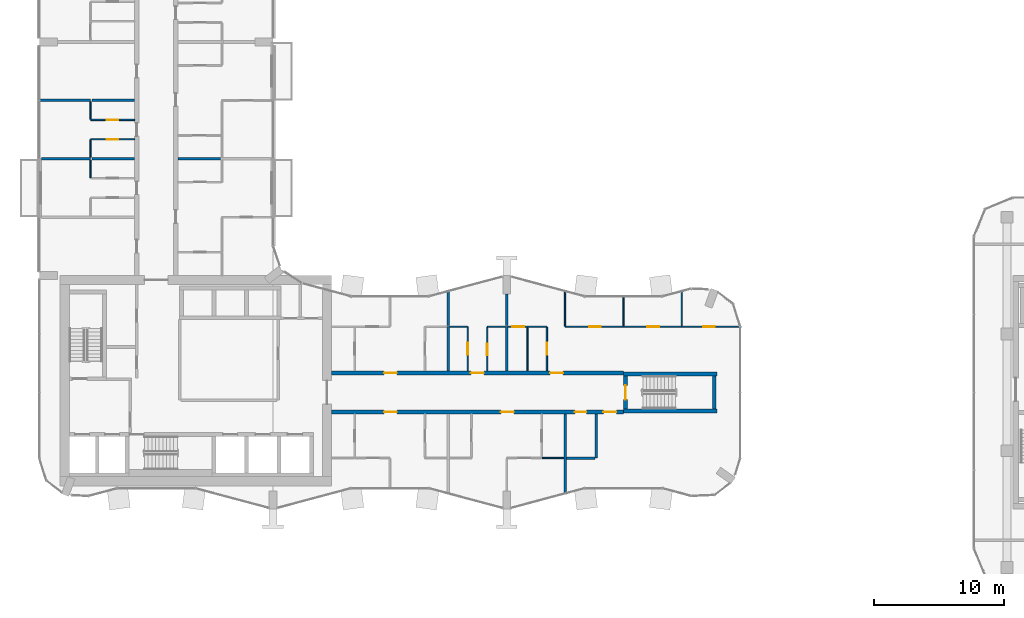
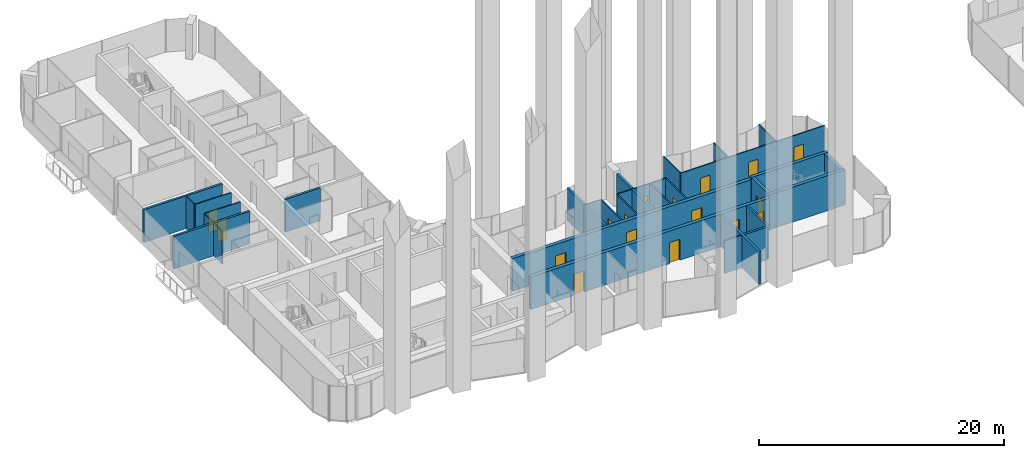
# One storey, part 15 of 27: 35 walls, 17 doors, 17 openings.
"""IFC4 building model written with IfcOpenShell, lengths in metres."""

from ifc_helpers import new_model, si_unit, direction, frame, frame_2d, origin, place, context, subcontext, project, spatial, rectangle, extrude, material, layer, layer_set, type_object, element, fill, save


model = new_model("IFC4")

# Units and contexts
model_context = context("Model", 3, precision=1e-05, world=origin(), true_north=direction((0.0, 1.0)))
body_context = subcontext(model_context, "Body", "Model", "MODEL_VIEW")
ifc_project = project(units=[si_unit("LENGTHUNIT", "METRE"), si_unit("AREAUNIT", "SQUARE_METRE"), si_unit("VOLUMEUNIT", "CUBIC_METRE"), si_unit("PLANEANGLEUNIT", "RADIAN"), si_unit("MASSUNIT", "GRAM", prefix="KILO")], contexts=[model_context])

# Site, building, storey
site_placement = place(None, origin())
site = spatial("IfcSite", under=ifc_project, at=site_placement, CompositionType="ELEMENT")
building_placement = place(site_placement, origin())
building = spatial("IfcBuilding", under=site, at=building_placement, Name="Plateau Cross Towers", CompositionType="ELEMENT")
storey_placement = place(building_placement, frame((0.0, 0.0, 78.300048828125)))
storey = spatial("IfcBuildingStorey", under=building, at=storey_placement, Name="L19", CompositionType="ELEMENT", Elevation=78.300048828125)

# Wall, openings, doors
ifc_material_1 = material(Name="Concrete C60/75", Category="concrete")
ifc_layer_1 = layer(ifc_material_1, 0.324951171875)
ifc_layer_set_1 = layer_set([ifc_layer_1], Name="Concrete C60/75")
wall_type_1 = type_object("IfcWallType", Name="Corridor wall 325", PredefinedType="SHEAR", material=ifc_layer_set_1)
wall_1_placement = place(storey_placement, frame((22.5, 7.5, 0.0), z_axis=(0.0, 0.0, 1.0), x_axis=(1.0, 0.0, 0.0)))
wall_1 = element("IfcWall", 1, at=wall_1_placement, inside=storey, type_object=wall_type_1, Name="A-cw-S1@L19", PredefinedType="SHEAR", context=body_context, shape_type="SweptSolid", body=[
    extrude(rectangle(XDim=22.5, YDim=0.324951171875, at=frame_2d((11.25, 0.0))), origin(), (0.0, 0.0, 1.0), 3.25),
])
opening_1_placement = place(wall_1_placement, frame((4.050048828125, 0.0, 0.0)))
opening_1 = element("IfcOpeningElement", 2, at=opening_1_placement, cuts=wall_1, Name="Opening 19-01", PredefinedType="OPENING", context=body_context, shape_type="SweptSolid", body=[
    extrude(rectangle(XDim=1.0, YDim=2.10009765625, at=frame_2d((0.5, 1.050048828125))), frame((0.0, 0.17236328125, 0.0), z_axis=(0.0, -1.0, 0.0), x_axis=(1.0, 0.0, 0.0)), (0.0, 0.0, 1.0), 0.344970703125),
])
opening_2_placement = place(wall_1_placement, frame((13.050048828125, 0.0, 0.0)))
opening_2 = element("IfcOpeningElement", 3, at=opening_2_placement, cuts=wall_1, Name="Opening 19-02", PredefinedType="OPENING", context=body_context, shape_type="SweptSolid", body=[
    extrude(rectangle(XDim=1.0, YDim=2.10009765625, at=frame_2d((0.5, 1.050048828125))), frame((0.0, 0.17236328125, 0.0), z_axis=(0.0, -1.0, 0.0), x_axis=(1.0, 0.0, 0.0)), (0.0, 0.0, 1.0), 0.344970703125),
])
opening_3_placement = place(wall_1_placement, frame((18.75, 0.0, 0.0)))
opening_3 = element("IfcOpeningElement", 4, at=opening_3_placement, cuts=wall_1, Name="Opening 19-03", PredefinedType="OPENING", context=body_context, shape_type="SweptSolid", body=[
    extrude(rectangle(XDim=0.89990234375, YDim=2.10009765625, at=frame_2d((0.449951171875, 1.050048828125))), frame((0.0, 0.17236328125, 0.0), z_axis=(0.0, -1.0, 0.0), x_axis=(1.0, 0.0, 0.0)), (0.0, 0.0, 1.0), 0.344970703125),
])
opening_4_placement = place(wall_1_placement, frame((20.949951171875, 0.0, 0.0)))
opening_4 = element("IfcOpeningElement", 5, at=opening_4_placement, cuts=wall_1, Name="Opening 19-04", PredefinedType="OPENING", context=body_context, shape_type="SweptSolid", body=[
    extrude(rectangle(XDim=1.0, YDim=2.10009765625, at=frame_2d((0.5, 1.050048828125))), frame((0.0, 0.17236328125, 0.0), z_axis=(0.0, -1.0, 0.0), x_axis=(1.0, 0.0, 0.0)), (0.0, 0.0, 1.0), 0.344970703125),
])
ifc_material_2 = material(Name="Timber, fire-resisting leaf", Category="wood")
door_type_1 = type_object("IfcDoorType", Name="Flat entrance door 1000", OperationType="NOTDEFINED", PredefinedType="DOOR", material=ifc_material_2)
door_1_placement = place(opening_1_placement, origin())
door_1 = element("IfcDoor", 6, at=door_1_placement, inside=storey, type_object=door_type_1, Name="Door 19-01", OperationType="SINGLE_SWING_LEFT", OverallHeight=2.10009765625, OverallWidth=1.0, PredefinedType="DOOR", context=body_context, shape_type="SweptSolid", body=[
    extrude(rectangle(XDim=1.0, YDim=2.10009765625, at=frame_2d((0.5, 1.050048828125))), frame((0.0, 0.02490234375, 0.0), z_axis=(0.0, -1.0, 0.0), x_axis=(1.0, 0.0, 0.0)), (0.0, 0.0, 1.0), 0.050048828125),
])
fill(opening_1, door_1)
door_2_placement = place(opening_2_placement, origin())
door_2 = element("IfcDoor", 7, at=door_2_placement, inside=storey, type_object=door_type_1, Name="Door 19-02", OperationType="SINGLE_SWING_RIGHT", OverallHeight=2.10009765625, OverallWidth=1.0, PredefinedType="DOOR", context=body_context, shape_type="SweptSolid", body=[
    extrude(rectangle(XDim=1.0, YDim=2.10009765625, at=frame_2d((0.5, 1.050048828125))), frame((0.0, 0.02490234375, 0.0), z_axis=(0.0, -1.0, 0.0), x_axis=(1.0, 0.0, 0.0)), (0.0, 0.0, 1.0), 0.050048828125),
])
fill(opening_2, door_2)
door_3_placement = place(opening_4_placement, origin())
door_3 = element("IfcDoor", 8, at=door_3_placement, inside=storey, type_object=door_type_1, Name="Door 19-04", OperationType="SINGLE_SWING_RIGHT", OverallHeight=2.10009765625, OverallWidth=1.0, PredefinedType="DOOR", context=body_context, shape_type="SweptSolid", body=[
    extrude(rectangle(XDim=1.0, YDim=2.10009765625, at=frame_2d((0.5, 1.050048828125))), frame((0.0, 0.02490234375, 0.0), z_axis=(0.0, -1.0, 0.0), x_axis=(1.0, 0.0, 0.0)), (0.0, 0.0, 1.0), 0.050048828125),
])
fill(opening_4, door_3)
door_type_2 = type_object("IfcDoorType", Name="Flat floor service door 900", OperationType="NOTDEFINED", PredefinedType="DOOR", material=ifc_material_2)
door_4_placement = place(opening_3_placement, origin())
door_4 = element("IfcDoor", 9, at=door_4_placement, inside=storey, type_object=door_type_2, Name="Door 19-03", OperationType="SINGLE_SWING_RIGHT", OverallHeight=2.10009765625, OverallWidth=0.89990234375, PredefinedType="DOOR", context=body_context, shape_type="SweptSolid", body=[
    extrude(rectangle(XDim=0.89990234375, YDim=2.10009765625, at=frame_2d((0.449951171875, 1.050048828125))), frame((0.0, 0.02490234375, 0.0), z_axis=(0.0, -1.0, 0.0), x_axis=(1.0, 0.0, 0.0)), (0.0, 0.0, 1.0), 0.050048828125),
])
fill(opening_3, door_4)

wall_2_placement = place(storey_placement, frame((22.5, 10.5, 0.0), z_axis=(0.0, 0.0, 1.0), x_axis=(1.0, 0.0, 0.0)))
wall_2 = element("IfcWall", 10, at=wall_2_placement, inside=storey, type_object=wall_type_1, Name="A-cw-S2@L19", PredefinedType="SHEAR", context=body_context, shape_type="SweptSolid", body=[
    extrude(rectangle(XDim=22.5, YDim=0.324951171875, at=frame_2d((11.25, 0.0))), origin(), (0.0, 0.0, 1.0), 3.25),
])
opening_5_placement = place(wall_2_placement, frame((4.050048828125, 0.0, 0.0)))
opening_5 = element("IfcOpeningElement", 11, at=opening_5_placement, cuts=wall_2, Name="Opening 19-05", PredefinedType="OPENING", context=body_context, shape_type="SweptSolid", body=[
    extrude(rectangle(XDim=1.0, YDim=2.10009765625, at=frame_2d((0.5, 1.050048828125))), frame((0.0, 0.17236328125, 0.0), z_axis=(0.0, -1.0, 0.0), x_axis=(1.0, 0.0, 0.0)), (0.0, 0.0, 1.0), 0.344970703125),
])
opening_6_placement = place(wall_2_placement, frame((10.75, 0.0, 0.0)))
opening_6 = element("IfcOpeningElement", 12, at=opening_6_placement, cuts=wall_2, Name="Opening 19-06", PredefinedType="OPENING", context=body_context, shape_type="SweptSolid", body=[
    extrude(rectangle(XDim=1.0, YDim=2.10009765625, at=frame_2d((0.5, 1.050048828125))), frame((0.0, 0.17236328125, 0.0), z_axis=(0.0, -1.0, 0.0), x_axis=(1.0, 0.0, 0.0)), (0.0, 0.0, 1.0), 0.344970703125),
])
opening_7_placement = place(wall_2_placement, frame((16.85009765625, 0.0, 0.0)))
opening_7 = element("IfcOpeningElement", 13, at=opening_7_placement, cuts=wall_2, Name="Opening 19-07", PredefinedType="OPENING", context=body_context, shape_type="SweptSolid", body=[
    extrude(rectangle(XDim=1.0, YDim=2.10009765625, at=frame_2d((0.5, 1.050048828125))), frame((0.0, 0.17236328125, 0.0), z_axis=(0.0, -1.0, 0.0), x_axis=(1.0, 0.0, 0.0)), (0.0, 0.0, 1.0), 0.344970703125),
])
door_5_placement = place(opening_5_placement, origin())
door_5 = element("IfcDoor", 14, at=door_5_placement, inside=storey, type_object=door_type_1, Name="Door 19-05", OperationType="SINGLE_SWING_LEFT", OverallHeight=2.10009765625, OverallWidth=1.0, PredefinedType="DOOR", context=body_context, shape_type="SweptSolid", body=[
    extrude(rectangle(XDim=1.0, YDim=2.10009765625, at=frame_2d((0.5, 1.050048828125))), frame((0.0, 0.02490234375, 0.0), z_axis=(0.0, -1.0, 0.0), x_axis=(1.0, 0.0, 0.0)), (0.0, 0.0, 1.0), 0.050048828125),
])
fill(opening_5, door_5)
door_6_placement = place(opening_6_placement, origin())
door_6 = element("IfcDoor", 15, at=door_6_placement, inside=storey, type_object=door_type_1, Name="Door 19-06", OperationType="SINGLE_SWING_LEFT", OverallHeight=2.10009765625, OverallWidth=1.0, PredefinedType="DOOR", context=body_context, shape_type="SweptSolid", body=[
    extrude(rectangle(XDim=1.0, YDim=2.10009765625, at=frame_2d((0.5, 1.050048828125))), frame((0.0, 0.02490234375, 0.0), z_axis=(0.0, -1.0, 0.0), x_axis=(1.0, 0.0, 0.0)), (0.0, 0.0, 1.0), 0.050048828125),
])
fill(opening_6, door_6)
door_7_placement = place(opening_7_placement, origin())
door_7 = element("IfcDoor", 16, at=door_7_placement, inside=storey, type_object=door_type_1, Name="Door 19-07", OperationType="SINGLE_SWING_RIGHT", OverallHeight=2.10009765625, OverallWidth=1.0, PredefinedType="DOOR", context=body_context, shape_type="SweptSolid", body=[
    extrude(rectangle(XDim=1.0, YDim=2.10009765625, at=frame_2d((0.5, 1.050048828125))), frame((0.0, 0.02490234375, 0.0), z_axis=(0.0, -1.0, 0.0), x_axis=(1.0, 0.0, 0.0)), (0.0, 0.0, 1.0), 0.050048828125),
])
fill(opening_7, door_7)

# Walls
ifc_material_3 = material(Name="Gypsum board on steel studs", Category="steel")
ifc_layer_2 = layer(ifc_material_3, 0.10009765625)
ifc_layer_set_2 = layer_set([ifc_layer_2], Name="Gypsum board on steel studs")
wall_type_2 = type_object("IfcWallType", Name="Flat partition 100", PredefinedType="PARTITIONING", material=ifc_layer_set_2)
wall_3_placement = place(storey_placement, frame((38.75, 3.9375, 0.0), z_axis=(0.0, 0.0, 1.0), x_axis=(1.0, 0.0, 0.0)))
element("IfcWall", 17, at=wall_3_placement, inside=storey, type_object=wall_type_2, Name="Partition wall", PredefinedType="PARTITIONING", context=body_context, shape_type="SweptSolid", body=[
    extrude(rectangle(XDim=1.64990234375, YDim=0.10009765625, at=frame_2d((0.824951171875, 0.0))), origin(), (0.0, 0.0, 1.0), 3.25),
])
wall_4_placement = place(storey_placement, frame((32.949951171875, 14.0625, 0.0), z_axis=(0.0, 0.0, 1.0), x_axis=(-1.0, 0.0, 0.0)))
element("IfcWall", 18, at=wall_4_placement, inside=storey, type_object=wall_type_2, Name="Partition wall", PredefinedType="PARTITIONING", context=body_context, shape_type="SweptSolid", body=[
    extrude(rectangle(XDim=1.349853515625, YDim=0.10009765625, at=frame_2d((0.6748046875, 0.0))), origin(), (0.0, 0.0, 1.0), 3.25),
])
wall_5_placement = place(storey_placement, frame((35.89990234375, 14.0625, 0.0), z_axis=(0.0, 0.0, 1.0), x_axis=(-1.0, 0.0, 0.0)))
element("IfcWall", 19, at=wall_5_placement, inside=storey, type_object=wall_type_2, Name="Partition wall", PredefinedType="PARTITIONING", context=body_context, shape_type="SweptSolid", body=[
    extrude(rectangle(XDim=1.39990234375, YDim=0.10009765625, at=frame_2d((0.699951171875, 0.0))), origin(), (0.0, 0.0, 1.0), 3.25),
])

# Wall, opening, door
wall_6_placement = place(storey_placement, frame((39.10009765625, 14.0625, 0.0), z_axis=(0.0, 0.0, 1.0), x_axis=(-1.0, 0.0, 0.0)))
wall_6 = element("IfcWall", 20, at=wall_6_placement, inside=storey, type_object=wall_type_2, Name="Partition wall", PredefinedType="PARTITIONING", context=body_context, shape_type="SweptSolid", body=[
    extrude(rectangle(XDim=3.0, YDim=0.10009765625, at=frame_2d((1.5, 0.0))), origin(), (0.0, 0.0, 1.0), 3.25),
])
opening_8_placement = place(wall_6_placement, frame((1.75, 0.0, 0.0)))
opening_8 = element("IfcOpeningElement", 21, at=opening_8_placement, cuts=wall_6, Name="Opening 19-29", PredefinedType="OPENING", context=body_context, shape_type="SweptSolid", body=[
    extrude(rectangle(XDim=0.89990234375, YDim=2.10009765625, at=frame_2d((0.449951171875, 1.050048828125))), frame((0.0, 0.06005859375, 0.0), z_axis=(0.0, -1.0, 0.0), x_axis=(1.0, 0.0, 0.0)), (0.0, 0.0, 1.0), 0.1201171875),
])
ifc_material_4 = material(Name="Timber leaf", Category="wood")
door_type_3 = type_object("IfcDoorType", Name="Flat room door 900", OperationType="NOTDEFINED", PredefinedType="DOOR", material=ifc_material_4)
door_8_placement = place(opening_8_placement, origin())
door_8 = element("IfcDoor", 22, at=door_8_placement, inside=storey, type_object=door_type_3, Name="Door 19-29", OperationType="SINGLE_SWING_RIGHT", OverallHeight=2.10009765625, OverallWidth=0.89990234375, PredefinedType="DOOR", context=body_context, shape_type="SweptSolid", body=[
    extrude(rectangle(XDim=0.89990234375, YDim=2.10009765625, at=frame_2d((0.449951171875, 1.050048828125))), frame((0.0, 0.02490234375, 0.0), z_axis=(0.0, -1.0, 0.0), x_axis=(1.0, 0.0, 0.0)), (0.0, 0.0, 1.0), 0.050048828125),
])
fill(opening_8, door_8)

# Wall, openings, doors
wall_7_placement = place(storey_placement, frame((40.5, 14.0625, 0.0), z_axis=(0.0, 0.0, 1.0), x_axis=(1.0, 0.0, 0.0)))
wall_7 = element("IfcWall", 23, at=wall_7_placement, inside=storey, type_object=wall_type_2, Name="Partition wall", PredefinedType="PARTITIONING", context=body_context, shape_type="SweptSolid", body=[
    extrude(rectangle(XDim=13.580078125, YDim=0.10009765625, at=frame_2d((6.7900390625, 0.0))), origin(), (0.0, 0.0, 1.0), 3.25),
])
opening_9_placement = place(wall_7_placement, frame((1.85009765625, 0.0, 0.0)))
opening_9 = element("IfcOpeningElement", 24, at=opening_9_placement, cuts=wall_7, Name="Opening 19-31", PredefinedType="OPENING", context=body_context, shape_type="SweptSolid", body=[
    extrude(rectangle(XDim=0.89990234375, YDim=2.10009765625, at=frame_2d((0.449951171875, 1.050048828125))), frame((0.0, 0.06005859375, 0.0), z_axis=(0.0, -1.0, 0.0), x_axis=(1.0, 0.0, 0.0)), (0.0, 0.0, 1.0), 0.1201171875),
])
opening_10_placement = place(wall_7_placement, frame((6.35009765625, 0.0, 0.0)))
opening_10 = element("IfcOpeningElement", 25, at=opening_10_placement, cuts=wall_7, Name="Opening 19-32", PredefinedType="OPENING", context=body_context, shape_type="SweptSolid", body=[
    extrude(rectangle(XDim=0.89990234375, YDim=2.10009765625, at=frame_2d((0.449951171875, 1.050048828125))), frame((0.0, 0.06005859375, 0.0), z_axis=(0.0, -1.0, 0.0), x_axis=(1.0, 0.0, 0.0)), (0.0, 0.0, 1.0), 0.1201171875),
])
opening_11_placement = place(wall_7_placement, frame((10.64990234375, 0.0, 0.0)))
opening_11 = element("IfcOpeningElement", 26, at=opening_11_placement, cuts=wall_7, Name="Opening 19-33", PredefinedType="OPENING", context=body_context, shape_type="SweptSolid", body=[
    extrude(rectangle(XDim=0.89990234375, YDim=2.10009765625, at=frame_2d((0.449951171875, 1.050048828125))), frame((0.0, 0.06005859375, 0.0), z_axis=(0.0, -1.0, 0.0), x_axis=(1.0, 0.0, 0.0)), (0.0, 0.0, 1.0), 0.1201171875),
])
door_9_placement = place(opening_9_placement, origin())
door_9 = element("IfcDoor", 27, at=door_9_placement, inside=storey, type_object=door_type_3, Name="Door 19-31", OperationType="SINGLE_SWING_LEFT", OverallHeight=2.10009765625, OverallWidth=0.89990234375, PredefinedType="DOOR", context=body_context, shape_type="SweptSolid", body=[
    extrude(rectangle(XDim=0.89990234375, YDim=2.10009765625, at=frame_2d((0.449951171875, 1.050048828125))), frame((0.0, 0.02490234375, 0.0), z_axis=(0.0, -1.0, 0.0), x_axis=(1.0, 0.0, 0.0)), (0.0, 0.0, 1.0), 0.050048828125),
])
fill(opening_9, door_9)
door_10_placement = place(opening_10_placement, origin())
door_10 = element("IfcDoor", 28, at=door_10_placement, inside=storey, type_object=door_type_3, Name="Door 19-32", OperationType="SINGLE_SWING_RIGHT", OverallHeight=2.10009765625, OverallWidth=0.89990234375, PredefinedType="DOOR", context=body_context, shape_type="SweptSolid", body=[
    extrude(rectangle(XDim=0.89990234375, YDim=2.10009765625, at=frame_2d((0.449951171875, 1.050048828125))), frame((0.0, 0.02490234375, 0.0), z_axis=(0.0, -1.0, 0.0), x_axis=(1.0, 0.0, 0.0)), (0.0, 0.0, 1.0), 0.050048828125),
])
fill(opening_10, door_10)
door_11_placement = place(opening_11_placement, origin())
door_11 = element("IfcDoor", 29, at=door_11_placement, inside=storey, type_object=door_type_3, Name="Door 19-33", OperationType="SINGLE_SWING_RIGHT", OverallHeight=2.10009765625, OverallWidth=0.89990234375, PredefinedType="DOOR", context=body_context, shape_type="SweptSolid", body=[
    extrude(rectangle(XDim=0.89990234375, YDim=2.10009765625, at=frame_2d((0.449951171875, 1.050048828125))), frame((0.0, 0.02490234375, 0.0), z_axis=(0.0, -1.0, 0.0), x_axis=(1.0, 0.0, 0.0)), (0.0, 0.0, 1.0), 0.050048828125),
])
fill(opening_11, door_11)

# Wall, opening, door
wall_8_placement = place(storey_placement, frame((7.33740234375, 28.5, 0.0), z_axis=(0.0, 0.0, 1.0), x_axis=(-1.0, 0.0, 0.0)))
wall_8 = element("IfcWall", 30, at=wall_8_placement, inside=storey, type_object=wall_type_2, Name="Partition wall", PredefinedType="PARTITIONING", context=body_context, shape_type="SweptSolid", body=[
    extrude(rectangle(XDim=3.39990234375, YDim=0.10009765625, at=frame_2d((1.699951171875, 0.0))), origin(), (0.0, 0.0, 1.0), 3.25),
])
opening_12_placement = place(wall_8_placement, frame((1.25, 0.0, 0.0)))
opening_12 = element("IfcOpeningElement", 31, at=opening_12_placement, cuts=wall_8, Name="Opening 19-36", PredefinedType="OPENING", context=body_context, shape_type="SweptSolid", body=[
    extrude(rectangle(XDim=0.89990234375, YDim=2.10009765625, at=frame_2d((0.449951171875, 1.050048828125))), frame((0.0, 0.06005859375, 0.0), z_axis=(0.0, -1.0, 0.0), x_axis=(1.0, 0.0, 0.0)), (0.0, 0.0, 1.0), 0.1201171875),
])
door_12_placement = place(opening_12_placement, origin())
door_12 = element("IfcDoor", 32, at=door_12_placement, inside=storey, type_object=door_type_3, Name="Door 19-36", OperationType="SINGLE_SWING_LEFT", OverallHeight=2.10009765625, OverallWidth=0.89990234375, PredefinedType="DOOR", context=body_context, shape_type="SweptSolid", body=[
    extrude(rectangle(XDim=0.89990234375, YDim=2.10009765625, at=frame_2d((0.449951171875, 1.050048828125))), frame((0.0, 0.02490234375, 0.0), z_axis=(0.0, -1.0, 0.0), x_axis=(1.0, 0.0, 0.0)), (0.0, 0.0, 1.0), 0.050048828125),
])
fill(opening_12, door_12)

wall_9_placement = place(storey_placement, frame((3.9375, 30.0, 0.0), z_axis=(0.0, 0.0, 1.0), x_axis=(1.0, 0.0, 0.0)))
wall_9 = element("IfcWall", 33, at=wall_9_placement, inside=storey, type_object=wall_type_2, Name="Partition wall", PredefinedType="PARTITIONING", context=body_context, shape_type="SweptSolid", body=[
    extrude(rectangle(XDim=3.39990234375, YDim=0.10009765625, at=frame_2d((1.699951171875, 0.0))), origin(), (0.0, 0.0, 1.0), 3.25),
])
opening_13_placement = place(wall_9_placement, frame((1.25, 0.0, 0.0)))
opening_13 = element("IfcOpeningElement", 34, at=opening_13_placement, cuts=wall_9, Name="Opening 19-37", PredefinedType="OPENING", context=body_context, shape_type="SweptSolid", body=[
    extrude(rectangle(XDim=0.89990234375, YDim=2.10009765625, at=frame_2d((0.449951171875, 1.050048828125))), frame((0.0, 0.06005859375, 0.0), z_axis=(0.0, -1.0, 0.0), x_axis=(1.0, 0.0, 0.0)), (0.0, 0.0, 1.0), 0.1201171875),
])
door_13_placement = place(opening_13_placement, origin())
door_13 = element("IfcDoor", 35, at=door_13_placement, inside=storey, type_object=door_type_3, Name="Door 19-37", OperationType="SINGLE_SWING_LEFT", OverallHeight=2.10009765625, OverallWidth=0.89990234375, PredefinedType="DOOR", context=body_context, shape_type="SweptSolid", body=[
    extrude(rectangle(XDim=0.89990234375, YDim=2.10009765625, at=frame_2d((0.449951171875, 1.050048828125))), frame((0.0, 0.02490234375, 0.0), z_axis=(0.0, -1.0, 0.0), x_axis=(1.0, 0.0, 0.0)), (0.0, 0.0, 1.0), 0.050048828125),
])
fill(opening_13, door_13)

# Walls
for number, where, z_axis, x_axis, name in (
    (36, (3.9375, 26.89990234375, 0.0), (0.0, 0.0, 1.0), (0.0, -1.0, 0.0), "Partition wall"),
    (37, (3.9375, 28.449951171875, 0.0), (0.0, 0.0, 1.0), (0.0, -1.0, 0.0), "Partition wall"),
    (38, (3.9375, 31.39990234375, 0.0), (0.0, 0.0, 1.0), (0.0, -1.0, 0.0), "Partition wall"),
):
    element("IfcWall", number, at=place(storey_placement, frame(where, z_axis=z_axis, x_axis=x_axis)), inside=storey, type_object=wall_type_2, Name=name, PredefinedType="PARTITIONING", context=body_context, shape_type="SweptSolid", body=[
        extrude(rectangle(XDim=1.349853515625, YDim=0.10009765625, at=frame_2d((0.6748046875, 0.0))), origin(), (0.0, 0.0, 1.0), 3.25),
    ])

# Wall, opening, door
wall_10_placement = place(storey_placement, frame((33.0, 10.66259765625, 0.0), z_axis=(0.0, 0.0, 1.0), x_axis=(0.0, 1.0, 0.0)))
wall_10 = element("IfcWall", 39, at=wall_10_placement, inside=storey, type_object=wall_type_2, Name="Partition wall", PredefinedType="PARTITIONING", context=body_context, shape_type="SweptSolid", body=[
    extrude(rectangle(XDim=3.39990234375, YDim=0.10009765625, at=frame_2d((1.699951171875, 0.0))), origin(), (0.0, 0.0, 1.0), 3.25),
])
opening_14_placement = place(wall_10_placement, frame((1.25, 0.0, 0.0)))
opening_14 = element("IfcOpeningElement", 40, at=opening_14_placement, cuts=wall_10, Name="Opening 19-27", PredefinedType="OPENING", context=body_context, shape_type="SweptSolid", body=[
    extrude(rectangle(XDim=0.89990234375, YDim=2.10009765625, at=frame_2d((0.449951171875, 1.050048828125))), frame((0.0, 0.06005859375, 0.0), z_axis=(0.0, -1.0, 0.0), x_axis=(1.0, 0.0, 0.0)), (0.0, 0.0, 1.0), 0.1201171875),
])
door_14_placement = place(opening_14_placement, origin())
door_14 = element("IfcDoor", 41, at=door_14_placement, inside=storey, type_object=door_type_3, Name="Door 19-27", OperationType="SINGLE_SWING_LEFT", OverallHeight=2.10009765625, OverallWidth=0.89990234375, PredefinedType="DOOR", context=body_context, shape_type="SweptSolid", body=[
    extrude(rectangle(XDim=0.89990234375, YDim=2.10009765625, at=frame_2d((0.449951171875, 1.050048828125))), frame((0.0, 0.02490234375, 0.0), z_axis=(0.0, -1.0, 0.0), x_axis=(1.0, 0.0, 0.0)), (0.0, 0.0, 1.0), 0.050048828125),
])
fill(opening_14, door_14)

wall_11_placement = place(storey_placement, frame((34.5, 14.012451171875, 0.0), z_axis=(0.0, 0.0, 1.0), x_axis=(0.0, -1.0, 0.0)))
wall_11 = element("IfcWall", 42, at=wall_11_placement, inside=storey, type_object=wall_type_2, Name="Partition wall", PredefinedType="PARTITIONING", context=body_context, shape_type="SweptSolid", body=[
    extrude(rectangle(XDim=3.349853515625, YDim=0.10009765625, at=frame_2d((1.6748046875, 0.0))), origin(), (0.0, 0.0, 1.0), 3.25),
])
opening_15_placement = place(wall_11_placement, frame((1.25, 0.0, 0.0)))
opening_15 = element("IfcOpeningElement", 43, at=opening_15_placement, cuts=wall_11, Name="Opening 19-28", PredefinedType="OPENING", context=body_context, shape_type="SweptSolid", body=[
    extrude(rectangle(XDim=0.89990234375, YDim=2.10009765625, at=frame_2d((0.449951171875, 1.050048828125))), frame((0.0, 0.06005859375, 0.0), z_axis=(0.0, -1.0, 0.0), x_axis=(1.0, 0.0, 0.0)), (0.0, 0.0, 1.0), 0.1201171875),
])
door_15_placement = place(opening_15_placement, origin())
door_15 = element("IfcDoor", 44, at=door_15_placement, inside=storey, type_object=door_type_3, Name="Door 19-28", OperationType="SINGLE_SWING_RIGHT", OverallHeight=2.10009765625, OverallWidth=0.89990234375, PredefinedType="DOOR", context=body_context, shape_type="SweptSolid", body=[
    extrude(rectangle(XDim=0.89990234375, YDim=2.10009765625, at=frame_2d((0.449951171875, 1.050048828125))), frame((0.0, 0.02490234375, 0.0), z_axis=(0.0, -1.0, 0.0), x_axis=(1.0, 0.0, 0.0)), (0.0, 0.0, 1.0), 0.050048828125),
])
fill(opening_15, door_15)

# Wall
wall_12_placement = place(storey_placement, frame((37.60009765625, 10.66259765625, 0.0), z_axis=(0.0, 0.0, 1.0), x_axis=(0.0, 1.0, 0.0)))
element("IfcWall", 45, at=wall_12_placement, inside=storey, type_object=wall_type_2, Name="Partition wall", PredefinedType="PARTITIONING", context=body_context, shape_type="SweptSolid", body=[
    extrude(rectangle(XDim=3.349853515625, YDim=0.10009765625, at=frame_2d((1.6748046875, 0.0))), origin(), (0.0, 0.0, 1.0), 3.25),
])

# Wall, opening, door
wall_13_placement = place(storey_placement, frame((39.10009765625, 10.66259765625, 0.0), z_axis=(0.0, 0.0, 1.0), x_axis=(0.0, 1.0, 0.0)))
wall_13 = element("IfcWall", 46, at=wall_13_placement, inside=storey, type_object=wall_type_2, Name="Partition wall", PredefinedType="PARTITIONING", context=body_context, shape_type="SweptSolid", body=[
    extrude(rectangle(XDim=3.349853515625, YDim=0.10009765625, at=frame_2d((1.6748046875, 0.0))), origin(), (0.0, 0.0, 1.0), 3.25),
])
opening_16_placement = place(wall_13_placement, frame((1.25, 0.0, 0.0)))
opening_16 = element("IfcOpeningElement", 47, at=opening_16_placement, cuts=wall_13, Name="Opening 19-30", PredefinedType="OPENING", context=body_context, shape_type="SweptSolid", body=[
    extrude(rectangle(XDim=0.89990234375, YDim=2.10009765625, at=frame_2d((0.449951171875, 1.050048828125))), frame((0.0, 0.06005859375, 0.0), z_axis=(0.0, -1.0, 0.0), x_axis=(1.0, 0.0, 0.0)), (0.0, 0.0, 1.0), 0.1201171875),
])
door_16_placement = place(opening_16_placement, origin())
door_16 = element("IfcDoor", 48, at=door_16_placement, inside=storey, type_object=door_type_3, Name="Door 19-30", OperationType="SINGLE_SWING_RIGHT", OverallHeight=2.10009765625, OverallWidth=0.89990234375, PredefinedType="DOOR", context=body_context, shape_type="SweptSolid", body=[
    extrude(rectangle(XDim=0.89990234375, YDim=2.10009765625, at=frame_2d((0.449951171875, 1.050048828125))), frame((0.0, 0.02490234375, 0.0), z_axis=(0.0, -1.0, 0.0), x_axis=(1.0, 0.0, 0.0)), (0.0, 0.0, 1.0), 0.050048828125),
])
fill(opening_16, door_16)

# Walls
wall_14_placement = place(storey_placement, frame((40.5, 16.877685546875, 0.0), z_axis=(0.0, 0.0, 1.0), x_axis=(0.0, -1.0, 0.0)))
element("IfcWall", 49, at=wall_14_placement, inside=storey, type_object=wall_type_2, Name="Partition wall", PredefinedType="PARTITIONING", context=body_context, shape_type="SweptSolid", body=[
    extrude(rectangle(XDim=2.76513671875, YDim=0.10009765625, at=frame_2d((1.382568359375, 0.0))), origin(), (0.0, 0.0, 1.0), 3.25),
])
wall_15_placement = place(storey_placement, frame((45.0, 14.112548828125, 0.0), z_axis=(0.0, 0.0, 1.0), x_axis=(0.0, 1.0, 0.0)))
element("IfcWall", 50, at=wall_15_placement, inside=storey, type_object=wall_type_2, Name="Partition wall", PredefinedType="PARTITIONING", context=body_context, shape_type="SweptSolid", body=[
    extrude(rectangle(XDim=2.360595703125, YDim=0.10009765625, at=frame_2d((1.18017578125, 0.0))), origin(), (0.0, 0.0, 1.0), 3.25),
])
wall_16_placement = place(storey_placement, frame((49.5, 14.112548828125, 0.0), z_axis=(0.0, 0.0, 1.0), x_axis=(0.0, 1.0, 0.0)))
element("IfcWall", 51, at=wall_16_placement, inside=storey, type_object=wall_type_2, Name="Partition wall", PredefinedType="PARTITIONING", context=body_context, shape_type="SweptSolid", body=[
    extrude(rectangle(XDim=2.76513671875, YDim=0.10009765625, at=frame_2d((1.382568359375, 0.0))), origin(), (0.0, 0.0, 1.0), 3.25),
])
ifc_material_5 = material(Name="Gypsum board on steel studs, two layers each side", Category="steel")
ifc_layer_3 = layer(ifc_material_5, 0.199951171875)
ifc_layer_set_3 = layer_set([ifc_layer_3], Name="Gypsum board on steel studs, two layers each side")
wall_type_3 = type_object("IfcWallType", Name="Flat party wall 200", PredefinedType="PARTITIONING", material=ifc_layer_set_3)
wall_17_placement = place(storey_placement, frame((40.60009765625, 3.9375, 0.0), z_axis=(0.0, 0.0, 1.0), x_axis=(1.0, 0.0, 0.0)))
element("IfcWall", 52, at=wall_17_placement, inside=storey, type_object=wall_type_3, Name="Party wall", PredefinedType="PARTITIONING", context=body_context, shape_type="SweptSolid", body=[
    extrude(rectangle(XDim=2.199951171875, YDim=0.199951171875, at=frame_2d((1.10009765625, 0.0))), origin(), (0.0, 0.0, 1.0), 3.25),
])
for number, where, z_axis, x_axis, name in (
    (53, (7.33740234375, 27.0, 0.0), (0.0, 0.0, 1.0), (-1.0, 0.0, 0.0), "Party wall"),
    (54, (13.96240234375, 27.0, 0.0), (0.0, 0.0, 1.0), (-1.0, 0.0, 0.0), "Party wall"),
):
    element("IfcWall", number, at=place(storey_placement, frame(where, z_axis=z_axis, x_axis=x_axis)), inside=storey, type_object=wall_type_3, Name=name, PredefinedType="PARTITIONING", context=body_context, shape_type="SweptSolid", body=[
        extrude(rectangle(XDim=3.2998046875, YDim=0.199951171875, at=frame_2d((1.64990234375, 0.0))), origin(), (0.0, 0.0, 1.0), 3.25),
    ])
wall_18_placement = place(storey_placement, frame((0.14990234375, 27.0, 0.0), z_axis=(0.0, 0.0, 1.0), x_axis=(1.0, 0.0, 0.0)))
element("IfcWall", 55, at=wall_18_placement, inside=storey, type_object=wall_type_3, Name="Party wall", PredefinedType="PARTITIONING", context=body_context, shape_type="SweptSolid", body=[
    extrude(rectangle(XDim=3.78759765625, YDim=0.199951171875, at=frame_2d((1.893798828125, 0.0))), origin(), (0.0, 0.0, 1.0), 3.25),
])
wall_19_placement = place(storey_placement, frame((7.33740234375, 31.5, 0.0), z_axis=(0.0, 0.0, 1.0), x_axis=(-1.0, 0.0, 0.0)))
element("IfcWall", 56, at=wall_19_placement, inside=storey, type_object=wall_type_3, Name="Party wall", PredefinedType="PARTITIONING", context=body_context, shape_type="SweptSolid", body=[
    extrude(rectangle(XDim=3.2998046875, YDim=0.199951171875, at=frame_2d((1.64990234375, 0.0))), origin(), (0.0, 0.0, 1.0), 3.25),
])
wall_20_placement = place(storey_placement, frame((-0.080078125, 31.5, 0.0), z_axis=(0.0, 0.0, 1.0), x_axis=(1.0, 0.0, 0.0)))
element("IfcWall", 57, at=wall_20_placement, inside=storey, type_object=wall_type_3, Name="Party wall", PredefinedType="PARTITIONING", context=body_context, shape_type="SweptSolid", body=[
    extrude(rectangle(XDim=4.017578125, YDim=0.199951171875, at=frame_2d((2.0087890625, 0.0))), origin(), (0.0, 0.0, 1.0), 3.25),
])
wall_21_placement = place(storey_placement, frame((31.5, 16.877685546875, 0.0), z_axis=(0.0, 0.0, 1.0), x_axis=(0.0, -1.0, 0.0)))
element("IfcWall", 58, at=wall_21_placement, inside=storey, type_object=wall_type_3, Name="Party wall", PredefinedType="PARTITIONING", context=body_context, shape_type="SweptSolid", body=[
    extrude(rectangle(XDim=2.715087890625, YDim=0.199951171875, at=frame_2d((1.357421875, 0.0))), origin(), (0.0, 0.0, 1.0), 3.25),
])
wall_22_placement = place(storey_placement, frame((31.5, 10.66259765625, 0.0), z_axis=(0.0, 0.0, 1.0), x_axis=(0.0, 1.0, 0.0)))
element("IfcWall", 59, at=wall_22_placement, inside=storey, type_object=wall_type_3, Name="Party wall", PredefinedType="PARTITIONING", context=body_context, shape_type="SweptSolid", body=[
    extrude(rectangle(XDim=3.39990234375, YDim=0.199951171875, at=frame_2d((1.699951171875, 0.0))), origin(), (0.0, 0.0, 1.0), 3.25),
])
wall_23_placement = place(storey_placement, frame((36.0, 16.60009765625, 0.0), z_axis=(0.0, 0.0, 1.0), x_axis=(0.0, -1.0, 0.0)))
element("IfcWall", 60, at=wall_23_placement, inside=storey, type_object=wall_type_3, Name="Party wall", PredefinedType="PARTITIONING", context=body_context, shape_type="SweptSolid", body=[
    extrude(rectangle(XDim=2.4375, YDim=0.199951171875, at=frame_2d((1.21875, 0.0))), origin(), (0.0, 0.0, 1.0), 3.25),
])
wall_24_placement = place(storey_placement, frame((36.0, 10.66259765625, 0.0), z_axis=(0.0, 0.0, 1.0), x_axis=(0.0, 1.0, 0.0)))
element("IfcWall", 61, at=wall_24_placement, inside=storey, type_object=wall_type_3, Name="Party wall", PredefinedType="PARTITIONING", context=body_context, shape_type="SweptSolid", body=[
    extrude(rectangle(XDim=3.39990234375, YDim=0.199951171875, at=frame_2d((1.699951171875, 0.0))), origin(), (0.0, 0.0, 1.0), 3.25),
])
wall_25_placement = place(storey_placement, frame((40.5, 1.122314453125, 0.0), z_axis=(0.0, 0.0, 1.0), x_axis=(0.0, 1.0, 0.0)))
element("IfcWall", 62, at=wall_25_placement, inside=storey, type_object=wall_type_3, Name="Party wall", PredefinedType="PARTITIONING", context=body_context, shape_type="SweptSolid", body=[
    extrude(rectangle(XDim=6.215087890625, YDim=0.199951171875, at=frame_2d((3.107421875, 0.0))), origin(), (0.0, 0.0, 1.0), 3.25),
])
wall_26_placement = place(storey_placement, frame((42.89990234375, 3.9375, 0.0), z_axis=(0.0, 0.0, 1.0), x_axis=(0.0, 1.0, 0.0)))
element("IfcWall", 63, at=wall_26_placement, inside=storey, type_object=wall_type_3, Name="Party wall", PredefinedType="PARTITIONING", context=body_context, shape_type="SweptSolid", body=[
    extrude(rectangle(XDim=3.39990234375, YDim=0.199951171875, at=frame_2d((1.699951171875, 0.0))), origin(), (0.0, 0.0, 1.0), 3.25),
])

# Wall, opening, door
ifc_layer_4 = layer(ifc_material_1, 0.300048828125)
ifc_layer_set_4 = layer_set([ifc_layer_4], Name="Concrete C60/75")
wall_type_4 = type_object("IfcWallType", Name="Stair tower wall 300", PredefinedType="SHEAR", material=ifc_layer_set_4)
wall_27_placement = place(storey_placement, frame((45.14990234375, 7.72509765625, 0.0), z_axis=(0.0, 0.0, 1.0), x_axis=(0.0, 1.0, 0.0)))
wall_27 = element("IfcWall", 64, at=wall_27_placement, inside=storey, type_object=wall_type_4, Name="A-end-E-W@L19", PredefinedType="SHEAR", context=body_context, shape_type="SweptSolid", body=[
    extrude(rectangle(XDim=2.5498046875, YDim=0.300048828125, at=frame_2d((1.27490234375, 0.0))), origin(), (0.0, 0.0, 1.0), 3.5),
])
opening_17_placement = place(wall_27_placement, frame((0.72509765625, 0.0, 0.0)))
opening_17 = element("IfcOpeningElement", 65, at=opening_17_placement, cuts=wall_27, Name="Opening SD", PredefinedType="OPENING", context=body_context, shape_type="SweptSolid", body=[
    extrude(rectangle(XDim=1.10009765625, YDim=2.10009765625, at=frame_2d((0.550048828125, 1.050048828125))), frame((0.0, 0.159912109375, 0.0), z_axis=(0.0, -1.0, 0.0), x_axis=(1.0, 0.0, 0.0)), (0.0, 0.0, 1.0), 0.320068359375),
])
ifc_material_6 = material(Name="Steel, fire-resisting leaf", Category="steel")
door_type_4 = type_object("IfcDoorType", Name="Stair door 1100", OperationType="NOTDEFINED", PredefinedType="DOOR", material=ifc_material_6)
door_17_placement = place(opening_17_placement, origin())
door_17 = element("IfcDoor", 66, at=door_17_placement, inside=storey, type_object=door_type_4, Name="Stair door SD", OperationType="SINGLE_SWING_LEFT", OverallHeight=2.10009765625, OverallWidth=1.10009765625, PredefinedType="DOOR", context=body_context, shape_type="SweptSolid", body=[
    extrude(rectangle(XDim=1.10009765625, YDim=2.10009765625, at=frame_2d((0.550048828125, 1.050048828125))), frame((0.0, 0.02490234375, 0.0), z_axis=(0.0, -1.0, 0.0), x_axis=(1.0, 0.0, 0.0)), (0.0, 0.0, 1.0), 0.050048828125),
])
fill(opening_17, door_17)

# Walls
wall_28_placement = place(storey_placement, frame((52.0, 7.72509765625, 0.0), z_axis=(0.0, 0.0, 1.0), x_axis=(0.0, 1.0, 0.0)))
element("IfcWall", 67, at=wall_28_placement, inside=storey, type_object=wall_type_4, Name="A-end-E-E@L19", PredefinedType="SHEAR", context=body_context, shape_type="SweptSolid", body=[
    extrude(rectangle(XDim=2.5498046875, YDim=0.300048828125, at=frame_2d((1.27490234375, 0.0))), origin(), (0.0, 0.0, 1.0), 3.5),
])
for number, where, z_axis, x_axis, name in (
    (68, (45.0, 7.574951171875, 0.0), (0.0, 0.0, 1.0), (1.0, 0.0, 0.0), "A-end-E-S@L19"),
    (69, (45.0, 10.425048828125, 0.0), (0.0, 0.0, 1.0), (1.0, 0.0, 0.0), "A-end-E-N@L19"),
):
    element("IfcWall", number, at=place(storey_placement, frame(where, z_axis=z_axis, x_axis=x_axis)), inside=storey, type_object=wall_type_4, Name=name, PredefinedType="SHEAR", context=body_context, shape_type="SweptSolid", body=[
        extrude(rectangle(XDim=7.199951171875, YDim=0.300048828125, at=frame_2d((3.60009765625, 0.0))), origin(), (0.0, 0.0, 1.0), 3.5),
    ])

save(model, "model.ifc")
